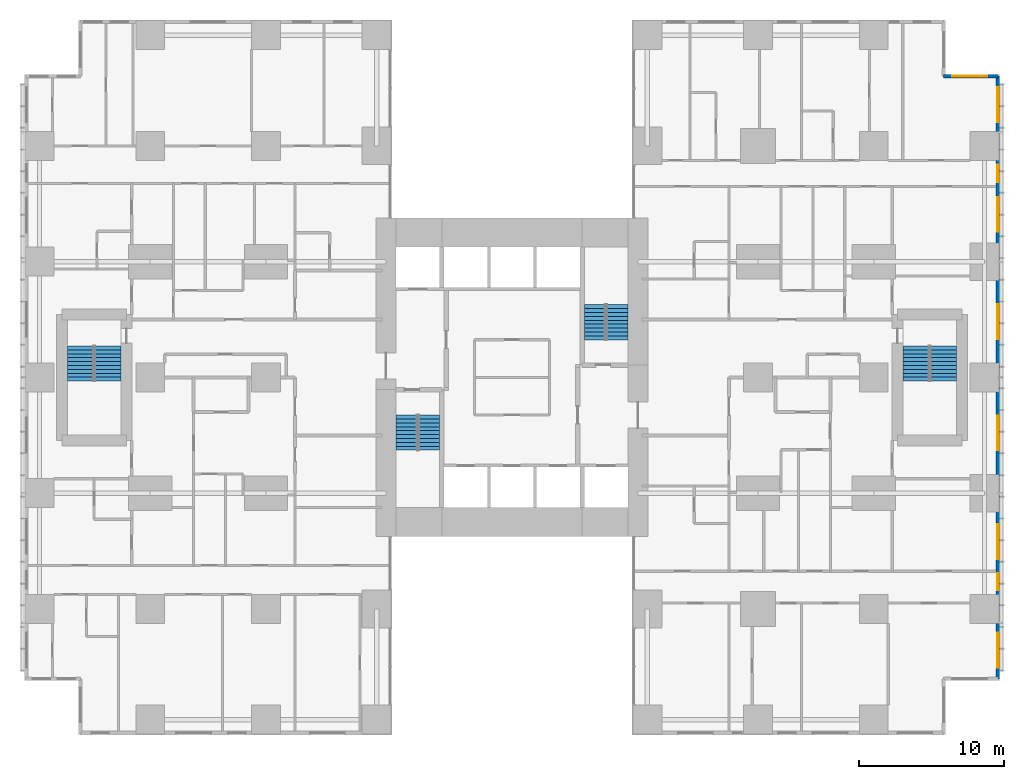
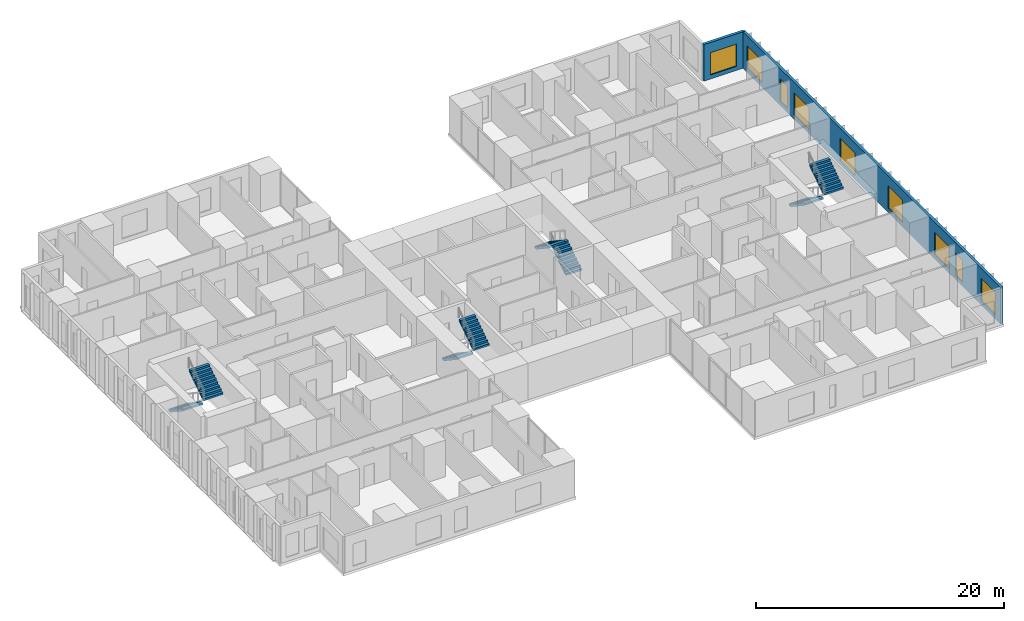
# One storey, part 19 of 20: 9 windows, 8 stair flights, 2 walls, 9 openings, 4 elements without a shape of their own.
"""IFC4 building model written with IfcOpenShell, lengths in metres."""

from ifc_helpers import new_model, si_unit, direction, frame, frame_2d, origin, place, context, subcontext, project, spatial, polyline, rectangle, outline, extrude, material, layer, layer_set, type_object, element, fill, aggregate, save


model = new_model("IFC4")

# Units and contexts
model_context = context("Model", 3, precision=1e-05, world=origin(), true_north=direction((0.0, 1.0)))
body_context = subcontext(model_context, "Body", "Model", "MODEL_VIEW")
ifc_project = project(units=[si_unit("LENGTHUNIT", "METRE"), si_unit("AREAUNIT", "SQUARE_METRE"), si_unit("VOLUMEUNIT", "CUBIC_METRE"), si_unit("PLANEANGLEUNIT", "RADIAN"), si_unit("MASSUNIT", "GRAM", prefix="KILO")], contexts=[model_context])

# Site, building, storey
site_placement = place(None, origin())
site = spatial("IfcSite", under=ifc_project, at=site_placement, CompositionType="ELEMENT")
building_placement = place(site_placement, origin())
building = spatial("IfcBuilding", under=site, at=building_placement, Name="Cleftline Residences", CompositionType="ELEMENT")
storey_placement = place(building_placement, frame((0.0, 0.0, 146.60009765625)))
storey = spatial("IfcBuildingStorey", under=building, at=storey_placement, Name="L38", CompositionType="ELEMENT", Elevation=146.60009765625)

# Wall, openings, windows
ifc_material_1 = material(Name="Rendered reinforced concrete blockwork", Category="masonry")
ifc_layer = layer(ifc_material_1, 0.25)
ifc_layer_set = layer_set([ifc_layer], Name="EXTERNAL WALL 250")
wall_type = type_object("IfcWallType", Name="EXTERNAL WALL 250", PredefinedType="SOLIDWALL", material=ifc_layer_set)
wall_1_placement = place(storey_placement, frame((66.574951171875, 3.175048828125, 0.0), z_axis=(0.0, 0.0, 1.0), x_axis=(0.0, 1.0, 0.0)))
wall_1 = element("IfcWall", 1, at=wall_1_placement, inside=storey, type_object=wall_type, Name="External wall", PredefinedType="SOLIDWALL", context=body_context, shape_type="SweptSolid", body=[
    extrude(rectangle(XDim=41.64990234375, YDim=0.25, at=frame_2d((20.824951171875, 0.0))), origin(), (0.0, 0.0, 1.0), 3.599853515625),
])
opening_1_placement = place(wall_1_placement, frame((0.77490234375, 0.0, 0.39990234375)))
opening_1 = element("IfcOpeningElement", 2, at=opening_1_placement, cuts=wall_1, Name="Opening W12", PredefinedType="OPENING", context=body_context, shape_type="SweptSolid", body=[
    extrude(rectangle(XDim=2.39990234375, YDim=2.199951171875, at=frame_2d((1.199951171875, 1.10009765625))), frame((0.0, 0.135009765625, 0.0), z_axis=(0.0, -1.0, 0.0), x_axis=(1.0, 0.0, 0.0)), (0.0, 0.0, 1.0), 0.27001953125),
])
opening_2_placement = place(wall_1_placement, frame((6.10009765625, 0.0, 0.39990234375)))
opening_2 = element("IfcOpeningElement", 3, at=opening_2_placement, cuts=wall_1, Name="Opening W11", PredefinedType="OPENING", context=body_context, shape_type="SweptSolid", body=[
    extrude(rectangle(XDim=1.199951171875, YDim=2.199951171875, at=frame_2d((0.60009765625, 1.10009765625))), frame((0.0, 0.135009765625, 0.0), z_axis=(0.0, -1.0, 0.0), x_axis=(1.0, 0.0, 0.0)), (0.0, 0.0, 1.0), 0.27001953125),
])
opening_3_placement = place(wall_1_placement, frame((8.27490234375, 0.0, 0.39990234375)))
opening_3 = element("IfcOpeningElement", 4, at=opening_3_placement, cuts=wall_1, Name="Opening W12", PredefinedType="OPENING", context=body_context, shape_type="SweptSolid", body=[
    extrude(rectangle(XDim=2.39990234375, YDim=2.199951171875, at=frame_2d((1.199951171875, 1.10009765625))), frame((0.0, 0.135009765625, 0.0), z_axis=(0.0, -1.0, 0.0), x_axis=(1.0, 0.0, 0.0)), (0.0, 0.0, 1.0), 0.27001953125),
])
opening_4_placement = place(wall_1_placement, frame((15.77490234375, 0.0, 0.39990234375)))
opening_4 = element("IfcOpeningElement", 5, at=opening_4_placement, cuts=wall_1, Name="Opening W12", PredefinedType="OPENING", context=body_context, shape_type="SweptSolid", body=[
    extrude(rectangle(XDim=2.39990234375, YDim=2.199951171875, at=frame_2d((1.199951171875, 1.10009765625))), frame((0.0, 0.135009765625, 0.0), z_axis=(0.0, -1.0, 0.0), x_axis=(1.0, 0.0, 0.0)), (0.0, 0.0, 1.0), 0.27001953125),
])
opening_5_placement = place(wall_1_placement, frame((23.47509765625, 0.0, 0.39990234375)))
opening_5 = element("IfcOpeningElement", 6, at=opening_5_placement, cuts=wall_1, Name="Opening W12", PredefinedType="OPENING", context=body_context, shape_type="SweptSolid", body=[
    extrude(rectangle(XDim=2.39990234375, YDim=2.199951171875, at=frame_2d((1.199951171875, 1.10009765625))), frame((0.0, 0.135009765625, 0.0), z_axis=(0.0, -1.0, 0.0), x_axis=(1.0, 0.0, 0.0)), (0.0, 0.0, 1.0), 0.27001953125),
])
opening_6_placement = place(wall_1_placement, frame((30.875, 0.0, 0.39990234375)))
opening_6 = element("IfcOpeningElement", 7, at=opening_6_placement, cuts=wall_1, Name="Opening W12", PredefinedType="OPENING", context=body_context, shape_type="SweptSolid", body=[
    extrude(rectangle(XDim=2.39990234375, YDim=2.199951171875, at=frame_2d((1.199951171875, 1.10009765625))), frame((0.0, 0.135009765625, 0.0), z_axis=(0.0, -1.0, 0.0), x_axis=(1.0, 0.0, 0.0)), (0.0, 0.0, 1.0), 0.27001953125),
])
opening_7_placement = place(wall_1_placement, frame((34.324951171875, 0.0, 0.39990234375)))
opening_7 = element("IfcOpeningElement", 8, at=opening_7_placement, cuts=wall_1, Name="Opening W11", PredefinedType="OPENING", context=body_context, shape_type="SweptSolid", body=[
    extrude(rectangle(XDim=1.199951171875, YDim=2.199951171875, at=frame_2d((0.60009765625, 1.10009765625))), frame((0.0, 0.135009765625, 0.0), z_axis=(0.0, -1.0, 0.0), x_axis=(1.0, 0.0, 0.0)), (0.0, 0.0, 1.0), 0.27001953125),
])
opening_8_placement = place(wall_1_placement, frame((38.47509765625, 0.0, 0.39990234375)))
opening_8 = element("IfcOpeningElement", 9, at=opening_8_placement, cuts=wall_1, Name="Opening W12", PredefinedType="OPENING", context=body_context, shape_type="SweptSolid", body=[
    extrude(rectangle(XDim=2.39990234375, YDim=2.199951171875, at=frame_2d((1.199951171875, 1.10009765625))), frame((0.0, 0.135009765625, 0.0), z_axis=(0.0, -1.0, 0.0), x_axis=(1.0, 0.0, 0.0)), (0.0, 0.0, 1.0), 0.27001953125),
])
ifc_material_2 = material(Name="Aluminium frame, clear double glazing", Category="aluminium")
window_type_1 = type_object("IfcWindowType", Name="WINDOW 1200X2200", PartitioningType="DOUBLE_PANEL_VERTICAL", PredefinedType="WINDOW", material=ifc_material_2)
window_1_placement = place(opening_2_placement, origin())
window_1 = element("IfcWindow", 10, at=window_1_placement, inside=storey, type_object=window_type_1, Name="Window", OverallHeight=2.199951171875, OverallWidth=1.199951171875, PartitioningType="SINGLE_PANEL", PredefinedType="WINDOW", context=body_context, shape_type="SweptSolid", body=[
    extrude(rectangle(XDim=1.199951171875, YDim=2.199951171875, at=frame_2d((0.60009765625, 1.10009765625))), frame((0.0, 0.030029296875, 0.0), z_axis=(0.0, -1.0, 0.0), x_axis=(1.0, 0.0, 0.0)), (0.0, 0.0, 1.0), 0.06005859375),
])
fill(opening_2, window_1)
window_2_placement = place(opening_7_placement, origin())
window_2 = element("IfcWindow", 11, at=window_2_placement, inside=storey, type_object=window_type_1, Name="Window", OverallHeight=2.199951171875, OverallWidth=1.199951171875, PartitioningType="SINGLE_PANEL", PredefinedType="WINDOW", context=body_context, shape_type="SweptSolid", body=[
    extrude(rectangle(XDim=1.199951171875, YDim=2.199951171875, at=frame_2d((0.60009765625, 1.10009765625))), frame((0.0, 0.030029296875, 0.0), z_axis=(0.0, -1.0, 0.0), x_axis=(1.0, 0.0, 0.0)), (0.0, 0.0, 1.0), 0.06005859375),
])
fill(opening_7, window_2)
ifc_material_3 = material(Name="Aluminium frame, clear double glazing", Category="aluminium")
window_type_2 = type_object("IfcWindowType", Name="WINDOW 2400X2200", PartitioningType="DOUBLE_PANEL_VERTICAL", PredefinedType="WINDOW", material=ifc_material_3)
window_3_placement = place(opening_1_placement, origin())
window_3 = element("IfcWindow", 12, at=window_3_placement, inside=storey, type_object=window_type_2, Name="Window", OverallHeight=2.199951171875, OverallWidth=2.39990234375, PartitioningType="SINGLE_PANEL", PredefinedType="WINDOW", context=body_context, shape_type="SweptSolid", body=[
    extrude(rectangle(XDim=2.39990234375, YDim=2.199951171875, at=frame_2d((1.199951171875, 1.10009765625))), frame((0.0, 0.030029296875, 0.0), z_axis=(0.0, -1.0, 0.0), x_axis=(1.0, 0.0, 0.0)), (0.0, 0.0, 1.0), 0.06005859375),
])
fill(opening_1, window_3)
window_4_placement = place(opening_3_placement, origin())
window_4 = element("IfcWindow", 13, at=window_4_placement, inside=storey, type_object=window_type_2, Name="Window", OverallHeight=2.199951171875, OverallWidth=2.39990234375, PartitioningType="SINGLE_PANEL", PredefinedType="WINDOW", context=body_context, shape_type="SweptSolid", body=[
    extrude(rectangle(XDim=2.39990234375, YDim=2.199951171875, at=frame_2d((1.199951171875, 1.10009765625))), frame((0.0, 0.030029296875, 0.0), z_axis=(0.0, -1.0, 0.0), x_axis=(1.0, 0.0, 0.0)), (0.0, 0.0, 1.0), 0.06005859375),
])
fill(opening_3, window_4)
window_5_placement = place(opening_4_placement, origin())
window_5 = element("IfcWindow", 14, at=window_5_placement, inside=storey, type_object=window_type_2, Name="Window", OverallHeight=2.199951171875, OverallWidth=2.39990234375, PartitioningType="SINGLE_PANEL", PredefinedType="WINDOW", context=body_context, shape_type="SweptSolid", body=[
    extrude(rectangle(XDim=2.39990234375, YDim=2.199951171875, at=frame_2d((1.199951171875, 1.10009765625))), frame((0.0, 0.030029296875, 0.0), z_axis=(0.0, -1.0, 0.0), x_axis=(1.0, 0.0, 0.0)), (0.0, 0.0, 1.0), 0.06005859375),
])
fill(opening_4, window_5)
window_6_placement = place(opening_5_placement, origin())
window_6 = element("IfcWindow", 15, at=window_6_placement, inside=storey, type_object=window_type_2, Name="Window", OverallHeight=2.199951171875, OverallWidth=2.39990234375, PartitioningType="SINGLE_PANEL", PredefinedType="WINDOW", context=body_context, shape_type="SweptSolid", body=[
    extrude(rectangle(XDim=2.39990234375, YDim=2.199951171875, at=frame_2d((1.199951171875, 1.10009765625))), frame((0.0, 0.030029296875, 0.0), z_axis=(0.0, -1.0, 0.0), x_axis=(1.0, 0.0, 0.0)), (0.0, 0.0, 1.0), 0.06005859375),
])
fill(opening_5, window_6)
window_7_placement = place(opening_6_placement, origin())
window_7 = element("IfcWindow", 16, at=window_7_placement, inside=storey, type_object=window_type_2, Name="Window", OverallHeight=2.199951171875, OverallWidth=2.39990234375, PartitioningType="SINGLE_PANEL", PredefinedType="WINDOW", context=body_context, shape_type="SweptSolid", body=[
    extrude(rectangle(XDim=2.39990234375, YDim=2.199951171875, at=frame_2d((1.199951171875, 1.10009765625))), frame((0.0, 0.030029296875, 0.0), z_axis=(0.0, -1.0, 0.0), x_axis=(1.0, 0.0, 0.0)), (0.0, 0.0, 1.0), 0.06005859375),
])
fill(opening_6, window_7)
window_8_placement = place(opening_8_placement, origin())
window_8 = element("IfcWindow", 17, at=window_8_placement, inside=storey, type_object=window_type_2, Name="Window", OverallHeight=2.199951171875, OverallWidth=2.39990234375, PartitioningType="SINGLE_PANEL", PredefinedType="WINDOW", context=body_context, shape_type="SweptSolid", body=[
    extrude(rectangle(XDim=2.39990234375, YDim=2.199951171875, at=frame_2d((1.199951171875, 1.10009765625))), frame((0.0, 0.030029296875, 0.0), z_axis=(0.0, -1.0, 0.0), x_axis=(1.0, 0.0, 0.0)), (0.0, 0.0, 1.0), 0.06005859375),
])
fill(opening_8, window_8)

# Wall, opening, window
wall_2_placement = place(storey_placement, frame((66.574951171875, 44.824951171875, 0.0), z_axis=(0.0, 0.0, 1.0), x_axis=(-1.0, 0.0, 0.0)))
wall_2 = element("IfcWall", 18, at=wall_2_placement, inside=storey, type_object=wall_type, Name="External wall", PredefinedType="SOLIDWALL", context=body_context, shape_type="SweptSolid", body=[
    extrude(rectangle(XDim=3.75, YDim=0.25, at=frame_2d((1.875, 0.0))), origin(), (0.0, 0.0, 1.0), 3.599853515625),
])
opening_9_placement = place(wall_2_placement, frame((0.737548828125, 0.0, 0.39990234375)))
opening_9 = element("IfcOpeningElement", 19, at=opening_9_placement, cuts=wall_2, Name="Opening W12", PredefinedType="OPENING", context=body_context, shape_type="SweptSolid", body=[
    extrude(rectangle(XDim=2.39990234375, YDim=2.199951171875, at=frame_2d((1.199951171875, 1.10009765625))), frame((0.0, 0.135009765625, 0.0), z_axis=(0.0, -1.0, 0.0), x_axis=(1.0, 0.0, 0.0)), (0.0, 0.0, 1.0), 0.27001953125),
])
window_9_placement = place(opening_9_placement, origin())
window_9 = element("IfcWindow", 20, at=window_9_placement, inside=storey, type_object=window_type_2, Name="Window", OverallHeight=2.199951171875, OverallWidth=2.39990234375, PartitioningType="SINGLE_PANEL", PredefinedType="WINDOW", context=body_context, shape_type="SweptSolid", body=[
    extrude(rectangle(XDim=2.39990234375, YDim=2.199951171875, at=frame_2d((1.199951171875, 1.10009765625))), frame((0.0, 0.030029296875, 0.0), z_axis=(0.0, -1.0, 0.0), x_axis=(1.0, 0.0, 0.0)), (0.0, 0.0, 1.0), 0.06005859375),
])
fill(opening_9, window_9)

# Stair, stair flights
ifc_material_4 = material(Name="Concrete B45, stone treads", Category="masonry")
stair_type_1 = type_object("IfcStairType", Name="STAIR A 1450 WIDE 180 RISER", PredefinedType="HALF_TURN_STAIR", material=ifc_material_4)
stair_1_placement = place(storey_placement, origin())
stair_1 = element("IfcStair", 21, at=stair_1_placement, inside=storey, type_object=stair_type_1, Name="Stair A L38", PredefinedType="HALF_TURN_STAIR")
ifc_material_5 = material(Name="Concrete B45", Category="concrete")
stair_flight_type_1 = type_object("IfcStairFlightType", Name="STAIR A FLIGHT 1450X180", PredefinedType="STRAIGHT", material=ifc_material_5)
stair_flight_1_placement = place(storey_placement, frame((25.72509765625, 21.39990234375, 0.0), z_axis=(0.0, 0.0, 1.0), x_axis=(0.0, -1.0, 0.0)))
stair_flight_1 = element("IfcStairFlight", 22, at=stair_flight_1_placement, type_object=stair_flight_type_1, Name="ST-A flight 1", NumberOfRisers=10, NumberOfTreads=9, PredefinedType="STRAIGHT", RiserHeight=0.18, TreadLength=0.27, context=body_context, shape_type="SweptSolid", body=[
    extrude(outline(polyline([(0.0, 0.0), (0.0, 0.013916015625), (0.0, 0.027587890625), (0.0, 0.04150390625), (0.0, 0.055419921875), (0.0, 0.0693359375), (0.0, 0.0830078125), (0.0, 0.096923828125), (0.0, 0.11083984375), (0.0, 0.12451171875), (0.0, 0.138427734375), (0.0, 0.15234375), (0.0, 0.166259765625), (0.0, 0.179931640625), (0.27001953125, 0.179931640625), (0.27001953125, 0.360107421875), (0.5400390625, 0.360107421875), (0.5400390625, 0.5400390625), (0.81005859375, 0.5400390625), (0.81005859375, 0.719970703125), (1.080078125, 0.719970703125), (1.080078125, 0.89990234375), (1.35009765625, 0.89990234375), (1.35009765625, 1.080078125), (1.6201171875, 1.080078125), (1.6201171875, 1.260009765625), (1.889892578125, 1.260009765625), (1.889892578125, 1.43994140625), (2.159912109375, 1.43994140625), (2.159912109375, 1.6201171875), (2.429931640625, 1.6201171875), (2.429931640625, 1.800048828125), (2.429931640625, 1.772216796875), (2.429931640625, 1.74462890625), (2.429931640625, 1.716796875), (2.429931640625, 1.689208984375), (2.429931640625, 1.661376953125), (2.429931640625, 1.6337890625), (2.429931640625, 1.60595703125), (2.429931640625, 1.578369140625), (2.429931640625, 1.550537109375), (2.429931640625, 1.52294921875), (2.429931640625, 1.495361328125), (2.429931640625, 1.467529296875), (2.429931640625, 1.43994140625), (0.270263671875, 0.0), (0.0, 0.0)])), frame((0.0, 0.72509765625, 0.0), z_axis=(0.0, -1.0, 0.0), x_axis=(1.0, 0.0, 0.0)), (0.0, 0.0, 1.0), 1.449951171875),
])
stair_flight_2_placement = place(storey_placement, frame((27.27490234375, 18.969970703125, 1.7998046875), z_axis=(0.0, 0.0, 1.0), x_axis=(0.0, 1.0, 0.0)))
stair_flight_2 = element("IfcStairFlight", 23, at=stair_flight_2_placement, type_object=stair_flight_type_1, Name="ST-A flight 2", NumberOfRisers=10, NumberOfTreads=9, PredefinedType="STRAIGHT", RiserHeight=0.18, TreadLength=0.27, context=body_context, shape_type="SweptSolid", body=[
    extrude(outline(polyline([(0.0, 0.0), (0.0, 0.013916015625), (0.0, 0.027587890625), (0.0, 0.04150390625), (0.0, 0.055419921875), (0.0, 0.0693359375), (0.0, 0.0830078125), (0.0, 0.096923828125), (0.0, 0.11083984375), (0.0, 0.12451171875), (0.0, 0.138427734375), (0.0, 0.15234375), (0.0, 0.166259765625), (0.0, 0.179931640625), (0.27001953125, 0.179931640625), (0.27001953125, 0.360107421875), (0.5400390625, 0.360107421875), (0.5400390625, 0.5400390625), (0.81005859375, 0.5400390625), (0.81005859375, 0.719970703125), (1.080078125, 0.719970703125), (1.080078125, 0.89990234375), (1.35009765625, 0.89990234375), (1.35009765625, 1.080078125), (1.6201171875, 1.080078125), (1.6201171875, 1.260009765625), (1.889892578125, 1.260009765625), (1.889892578125, 1.43994140625), (2.159912109375, 1.43994140625), (2.159912109375, 1.6201171875), (2.429931640625, 1.6201171875), (2.429931640625, 1.800048828125), (2.429931640625, 1.772216796875), (2.429931640625, 1.74462890625), (2.429931640625, 1.716796875), (2.429931640625, 1.689208984375), (2.429931640625, 1.661376953125), (2.429931640625, 1.6337890625), (2.429931640625, 1.60595703125), (2.429931640625, 1.578369140625), (2.429931640625, 1.550537109375), (2.429931640625, 1.52294921875), (2.429931640625, 1.495361328125), (2.429931640625, 1.467529296875), (2.429931640625, 1.43994140625), (0.270263671875, 0.0), (0.0, 0.0)])), frame((0.0, 0.72509765625, 0.0), z_axis=(0.0, -1.0, 0.0), x_axis=(1.0, 0.0, 0.0)), (0.0, 0.0, 1.0), 1.449951171875),
])
aggregate(stair_1, [stair_flight_1, stair_flight_2])

ifc_material_6 = material(Name="Concrete B45, stone treads", Category="masonry")
stair_type_2 = type_object("IfcStairType", Name="STAIR B 1450 WIDE 180 RISER", PredefinedType="HALF_TURN_STAIR", material=ifc_material_6)
stair_2_placement = place(storey_placement, origin())
stair_2 = element("IfcStair", 24, at=stair_2_placement, inside=storey, type_object=stair_type_2, Name="Stair B L38", PredefinedType="HALF_TURN_STAIR")
ifc_material_7 = material(Name="Concrete B45", Category="concrete")
stair_flight_type_2 = type_object("IfcStairFlightType", Name="STAIR B FLIGHT 1450X180", PredefinedType="STRAIGHT", material=ifc_material_7)
stair_flight_3_placement = place(storey_placement, frame((40.27490234375, 26.60009765625, 0.0), z_axis=(0.0, 0.0, 1.0), x_axis=(0.0, 1.0, 0.0)))
stair_flight_3 = element("IfcStairFlight", 25, at=stair_flight_3_placement, type_object=stair_flight_type_2, Name="ST-B flight 1", NumberOfRisers=10, NumberOfTreads=9, PredefinedType="STRAIGHT", RiserHeight=0.18, TreadLength=0.27, context=body_context, shape_type="SweptSolid", body=[
    extrude(outline(polyline([(0.0, 0.0), (0.0, 0.013916015625), (0.0, 0.027587890625), (0.0, 0.04150390625), (0.0, 0.055419921875), (0.0, 0.0693359375), (0.0, 0.0830078125), (0.0, 0.096923828125), (0.0, 0.11083984375), (0.0, 0.12451171875), (0.0, 0.138427734375), (0.0, 0.15234375), (0.0, 0.166259765625), (0.0, 0.179931640625), (0.27001953125, 0.179931640625), (0.27001953125, 0.360107421875), (0.5400390625, 0.360107421875), (0.5400390625, 0.5400390625), (0.81005859375, 0.5400390625), (0.81005859375, 0.719970703125), (1.080078125, 0.719970703125), (1.080078125, 0.89990234375), (1.35009765625, 0.89990234375), (1.35009765625, 1.080078125), (1.6201171875, 1.080078125), (1.6201171875, 1.260009765625), (1.889892578125, 1.260009765625), (1.889892578125, 1.43994140625), (2.159912109375, 1.43994140625), (2.159912109375, 1.6201171875), (2.429931640625, 1.6201171875), (2.429931640625, 1.800048828125), (2.429931640625, 1.772216796875), (2.429931640625, 1.74462890625), (2.429931640625, 1.716796875), (2.429931640625, 1.689208984375), (2.429931640625, 1.661376953125), (2.429931640625, 1.6337890625), (2.429931640625, 1.60595703125), (2.429931640625, 1.578369140625), (2.429931640625, 1.550537109375), (2.429931640625, 1.52294921875), (2.429931640625, 1.495361328125), (2.429931640625, 1.467529296875), (2.429931640625, 1.43994140625), (0.270263671875, 0.0), (0.0, 0.0)])), frame((0.0, 0.72509765625, 0.0), z_axis=(0.0, -1.0, 0.0), x_axis=(1.0, 0.0, 0.0)), (0.0, 0.0, 1.0), 1.449951171875),
])
stair_flight_4_placement = place(storey_placement, frame((38.72509765625, 29.030029296875, 1.7998046875), z_axis=(0.0, 0.0, 1.0), x_axis=(0.0, -1.0, 0.0)))
stair_flight_4 = element("IfcStairFlight", 26, at=stair_flight_4_placement, type_object=stair_flight_type_2, Name="ST-B flight 2", NumberOfRisers=10, NumberOfTreads=9, PredefinedType="STRAIGHT", RiserHeight=0.18, TreadLength=0.27, context=body_context, shape_type="SweptSolid", body=[
    extrude(outline(polyline([(0.0, 0.0), (0.0, 0.013916015625), (0.0, 0.027587890625), (0.0, 0.04150390625), (0.0, 0.055419921875), (0.0, 0.0693359375), (0.0, 0.0830078125), (0.0, 0.096923828125), (0.0, 0.11083984375), (0.0, 0.12451171875), (0.0, 0.138427734375), (0.0, 0.15234375), (0.0, 0.166259765625), (0.0, 0.179931640625), (0.27001953125, 0.179931640625), (0.27001953125, 0.360107421875), (0.5400390625, 0.360107421875), (0.5400390625, 0.5400390625), (0.81005859375, 0.5400390625), (0.81005859375, 0.719970703125), (1.080078125, 0.719970703125), (1.080078125, 0.89990234375), (1.35009765625, 0.89990234375), (1.35009765625, 1.080078125), (1.6201171875, 1.080078125), (1.6201171875, 1.260009765625), (1.889892578125, 1.260009765625), (1.889892578125, 1.43994140625), (2.159912109375, 1.43994140625), (2.159912109375, 1.6201171875), (2.429931640625, 1.6201171875), (2.429931640625, 1.800048828125), (2.429931640625, 1.772216796875), (2.429931640625, 1.74462890625), (2.429931640625, 1.716796875), (2.429931640625, 1.689208984375), (2.429931640625, 1.661376953125), (2.429931640625, 1.6337890625), (2.429931640625, 1.60595703125), (2.429931640625, 1.578369140625), (2.429931640625, 1.550537109375), (2.429931640625, 1.52294921875), (2.429931640625, 1.495361328125), (2.429931640625, 1.467529296875), (2.429931640625, 1.43994140625), (0.270263671875, 0.0), (0.0, 0.0)])), frame((0.0, 0.72509765625, 0.0), z_axis=(0.0, -1.0, 0.0), x_axis=(1.0, 0.0, 0.0)), (0.0, 0.0, 1.0), 1.449951171875),
])
aggregate(stair_2, [stair_flight_3, stair_flight_4])

ifc_material_8 = material(Name="Concrete B45, stone treads", Category="masonry")
stair_type_3 = type_object("IfcStairType", Name="STAIR E 1800 WIDE 180 RISER", PredefinedType="HALF_TURN_STAIR", material=ifc_material_8)
stair_3_placement = place(storey_placement, origin())
stair_3 = element("IfcStair", 27, at=stair_3_placement, inside=storey, type_object=stair_type_3, Name="Stair E L38", PredefinedType="HALF_TURN_STAIR")
ifc_material_9 = material(Name="Concrete B45", Category="concrete")
stair_flight_type_3 = type_object("IfcStairFlightType", Name="STAIR E FLIGHT 1800X180", PredefinedType="STRAIGHT", material=ifc_material_9)
stair_flight_5_placement = place(storey_placement, frame((60.925048828125, 26.175048828125, 0.0), z_axis=(0.0, 0.0, 1.0), x_axis=(0.0, -1.0, 0.0)))
stair_flight_5 = element("IfcStairFlight", 28, at=stair_flight_5_placement, type_object=stair_flight_type_3, Name="ST-E flight 1", NumberOfRisers=10, NumberOfTreads=9, PredefinedType="STRAIGHT", RiserHeight=0.18, TreadLength=0.27, context=body_context, shape_type="SweptSolid", body=[
    extrude(outline(polyline([(0.0, 0.0), (0.0, 0.013916015625), (0.0, 0.027587890625), (0.0, 0.04150390625), (0.0, 0.055419921875), (0.0, 0.0693359375), (0.0, 0.0830078125), (0.0, 0.096923828125), (0.0, 0.11083984375), (0.0, 0.12451171875), (0.0, 0.138427734375), (0.0, 0.15234375), (0.0, 0.166259765625), (0.0, 0.179931640625), (0.27001953125, 0.179931640625), (0.27001953125, 0.360107421875), (0.5400390625, 0.360107421875), (0.5400390625, 0.5400390625), (0.81005859375, 0.5400390625), (0.81005859375, 0.719970703125), (1.080078125, 0.719970703125), (1.080078125, 0.89990234375), (1.35009765625, 0.89990234375), (1.35009765625, 1.080078125), (1.6201171875, 1.080078125), (1.6201171875, 1.260009765625), (1.889892578125, 1.260009765625), (1.889892578125, 1.43994140625), (2.159912109375, 1.43994140625), (2.159912109375, 1.6201171875), (2.429931640625, 1.6201171875), (2.429931640625, 1.800048828125), (2.429931640625, 1.772216796875), (2.429931640625, 1.74462890625), (2.429931640625, 1.716796875), (2.429931640625, 1.689208984375), (2.429931640625, 1.661376953125), (2.429931640625, 1.6337890625), (2.429931640625, 1.60595703125), (2.429931640625, 1.578369140625), (2.429931640625, 1.550537109375), (2.429931640625, 1.52294921875), (2.429931640625, 1.495361328125), (2.429931640625, 1.467529296875), (2.429931640625, 1.43994140625), (0.270263671875, 0.0), (0.0, 0.0)])), frame((0.0, 0.89990234375, 0.0), z_axis=(0.0, -1.0, 0.0), x_axis=(1.0, 0.0, 0.0)), (0.0, 0.0, 1.0), 1.800048828125),
])
stair_flight_6_placement = place(storey_placement, frame((62.824951171875, 23.7451171875, 1.7998046875), z_axis=(0.0, 0.0, 1.0), x_axis=(0.0, 1.0, 0.0)))
stair_flight_6 = element("IfcStairFlight", 29, at=stair_flight_6_placement, type_object=stair_flight_type_3, Name="ST-E flight 2", NumberOfRisers=10, NumberOfTreads=9, PredefinedType="STRAIGHT", RiserHeight=0.18, TreadLength=0.27, context=body_context, shape_type="SweptSolid", body=[
    extrude(outline(polyline([(0.0, 0.0), (0.0, 0.013916015625), (0.0, 0.027587890625), (0.0, 0.04150390625), (0.0, 0.055419921875), (0.0, 0.0693359375), (0.0, 0.0830078125), (0.0, 0.096923828125), (0.0, 0.11083984375), (0.0, 0.12451171875), (0.0, 0.138427734375), (0.0, 0.15234375), (0.0, 0.166259765625), (0.0, 0.179931640625), (0.27001953125, 0.179931640625), (0.27001953125, 0.360107421875), (0.5400390625, 0.360107421875), (0.5400390625, 0.5400390625), (0.81005859375, 0.5400390625), (0.81005859375, 0.719970703125), (1.080078125, 0.719970703125), (1.080078125, 0.89990234375), (1.35009765625, 0.89990234375), (1.35009765625, 1.080078125), (1.6201171875, 1.080078125), (1.6201171875, 1.260009765625), (1.889892578125, 1.260009765625), (1.889892578125, 1.43994140625), (2.159912109375, 1.43994140625), (2.159912109375, 1.6201171875), (2.429931640625, 1.6201171875), (2.429931640625, 1.800048828125), (2.429931640625, 1.772216796875), (2.429931640625, 1.74462890625), (2.429931640625, 1.716796875), (2.429931640625, 1.689208984375), (2.429931640625, 1.661376953125), (2.429931640625, 1.6337890625), (2.429931640625, 1.60595703125), (2.429931640625, 1.578369140625), (2.429931640625, 1.550537109375), (2.429931640625, 1.52294921875), (2.429931640625, 1.495361328125), (2.429931640625, 1.467529296875), (2.429931640625, 1.43994140625), (0.270263671875, 0.0), (0.0, 0.0)])), frame((0.0, 0.89990234375, 0.0), z_axis=(0.0, -1.0, 0.0), x_axis=(1.0, 0.0, 0.0)), (0.0, 0.0, 1.0), 1.800048828125),
])
aggregate(stair_3, [stair_flight_5, stair_flight_6])

ifc_material_10 = material(Name="Concrete B45, stone treads", Category="masonry")
stair_type_4 = type_object("IfcStairType", Name="STAIR W 1800 WIDE 180 RISER", PredefinedType="HALF_TURN_STAIR", material=ifc_material_10)
stair_4_placement = place(storey_placement, origin())
stair_4 = element("IfcStair", 30, at=stair_4_placement, inside=storey, type_object=stair_type_4, Name="Stair W L38", PredefinedType="HALF_TURN_STAIR")
ifc_material_11 = material(Name="Concrete B45", Category="concrete")
stair_flight_type_4 = type_object("IfcStairFlightType", Name="STAIR W FLIGHT 1800X180", PredefinedType="STRAIGHT", material=ifc_material_11)
stair_flight_7_placement = place(storey_placement, frame((3.175048828125, 26.175048828125, 0.0), z_axis=(0.0, 0.0, 1.0), x_axis=(0.0, -1.0, 0.0)))
stair_flight_7 = element("IfcStairFlight", 31, at=stair_flight_7_placement, type_object=stair_flight_type_4, Name="ST-W flight 1", NumberOfRisers=10, NumberOfTreads=9, PredefinedType="STRAIGHT", RiserHeight=0.18, TreadLength=0.27, context=body_context, shape_type="SweptSolid", body=[
    extrude(outline(polyline([(0.0, 0.0), (0.0, 0.013916015625), (0.0, 0.027587890625), (0.0, 0.04150390625), (0.0, 0.055419921875), (0.0, 0.0693359375), (0.0, 0.0830078125), (0.0, 0.096923828125), (0.0, 0.11083984375), (0.0, 0.12451171875), (0.0, 0.138427734375), (0.0, 0.15234375), (0.0, 0.166259765625), (0.0, 0.179931640625), (0.27001953125, 0.179931640625), (0.27001953125, 0.360107421875), (0.5400390625, 0.360107421875), (0.5400390625, 0.5400390625), (0.81005859375, 0.5400390625), (0.81005859375, 0.719970703125), (1.080078125, 0.719970703125), (1.080078125, 0.89990234375), (1.35009765625, 0.89990234375), (1.35009765625, 1.080078125), (1.6201171875, 1.080078125), (1.6201171875, 1.260009765625), (1.889892578125, 1.260009765625), (1.889892578125, 1.43994140625), (2.159912109375, 1.43994140625), (2.159912109375, 1.6201171875), (2.429931640625, 1.6201171875), (2.429931640625, 1.800048828125), (2.429931640625, 1.772216796875), (2.429931640625, 1.74462890625), (2.429931640625, 1.716796875), (2.429931640625, 1.689208984375), (2.429931640625, 1.661376953125), (2.429931640625, 1.6337890625), (2.429931640625, 1.60595703125), (2.429931640625, 1.578369140625), (2.429931640625, 1.550537109375), (2.429931640625, 1.52294921875), (2.429931640625, 1.495361328125), (2.429931640625, 1.467529296875), (2.429931640625, 1.43994140625), (0.270263671875, 0.0), (0.0, 0.0)])), frame((0.0, 0.89990234375, 0.0), z_axis=(0.0, -1.0, 0.0), x_axis=(1.0, 0.0, 0.0)), (0.0, 0.0, 1.0), 1.800048828125),
])
stair_flight_8_placement = place(storey_placement, frame((5.074951171875, 23.7451171875, 1.7998046875), z_axis=(0.0, 0.0, 1.0), x_axis=(0.0, 1.0, 0.0)))
stair_flight_8 = element("IfcStairFlight", 32, at=stair_flight_8_placement, type_object=stair_flight_type_4, Name="ST-W flight 2", NumberOfRisers=10, NumberOfTreads=9, PredefinedType="STRAIGHT", RiserHeight=0.18, TreadLength=0.27, context=body_context, shape_type="SweptSolid", body=[
    extrude(outline(polyline([(0.0, 0.0), (0.0, 0.013916015625), (0.0, 0.027587890625), (0.0, 0.04150390625), (0.0, 0.055419921875), (0.0, 0.0693359375), (0.0, 0.0830078125), (0.0, 0.096923828125), (0.0, 0.11083984375), (0.0, 0.12451171875), (0.0, 0.138427734375), (0.0, 0.15234375), (0.0, 0.166259765625), (0.0, 0.179931640625), (0.27001953125, 0.179931640625), (0.27001953125, 0.360107421875), (0.5400390625, 0.360107421875), (0.5400390625, 0.5400390625), (0.81005859375, 0.5400390625), (0.81005859375, 0.719970703125), (1.080078125, 0.719970703125), (1.080078125, 0.89990234375), (1.35009765625, 0.89990234375), (1.35009765625, 1.080078125), (1.6201171875, 1.080078125), (1.6201171875, 1.260009765625), (1.889892578125, 1.260009765625), (1.889892578125, 1.43994140625), (2.159912109375, 1.43994140625), (2.159912109375, 1.6201171875), (2.429931640625, 1.6201171875), (2.429931640625, 1.800048828125), (2.429931640625, 1.772216796875), (2.429931640625, 1.74462890625), (2.429931640625, 1.716796875), (2.429931640625, 1.689208984375), (2.429931640625, 1.661376953125), (2.429931640625, 1.6337890625), (2.429931640625, 1.60595703125), (2.429931640625, 1.578369140625), (2.429931640625, 1.550537109375), (2.429931640625, 1.52294921875), (2.429931640625, 1.495361328125), (2.429931640625, 1.467529296875), (2.429931640625, 1.43994140625), (0.270263671875, 0.0), (0.0, 0.0)])), frame((0.0, 0.89990234375, 0.0), z_axis=(0.0, -1.0, 0.0), x_axis=(1.0, 0.0, 0.0)), (0.0, 0.0, 1.0), 1.800048828125),
])
aggregate(stair_4, [stair_flight_7, stair_flight_8])

save(model, "model.ifc")
